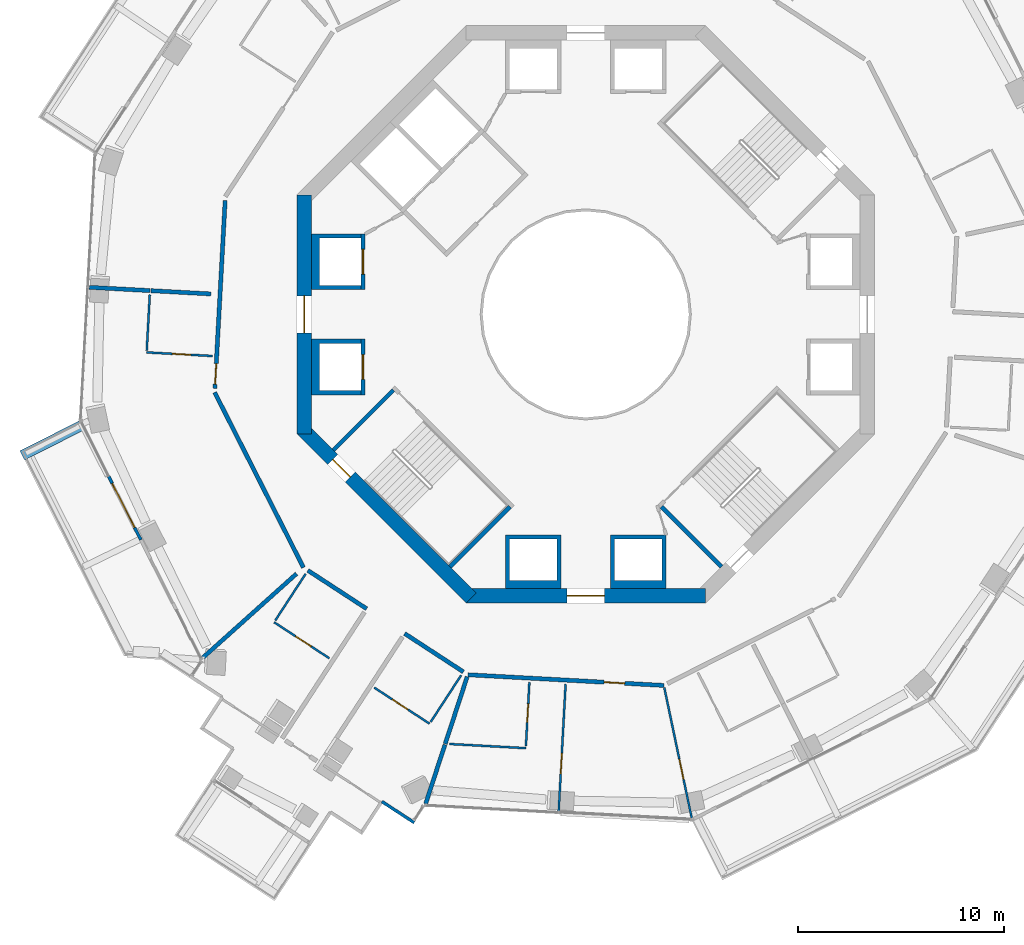
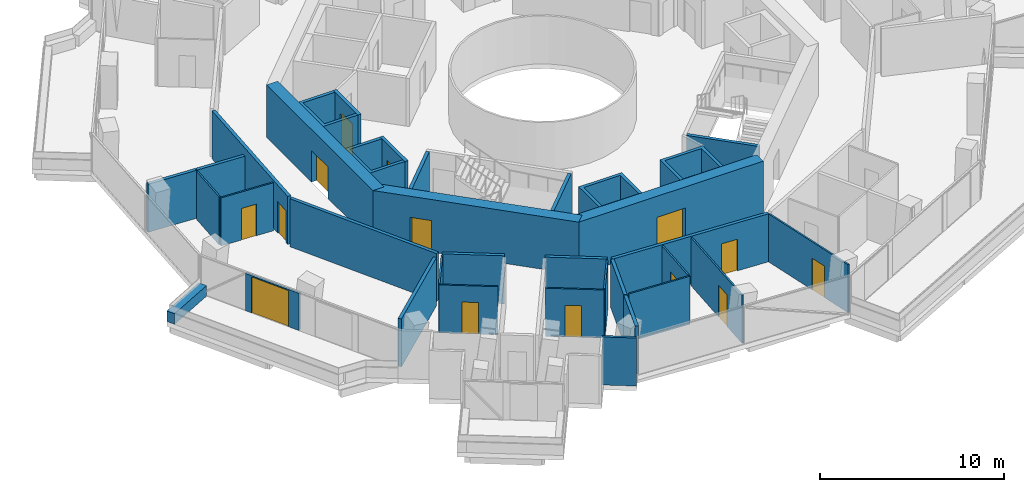
# One storey, part 16 of 23: 35 walls, 14 doors, 14 openings.
"""IFC4 building model written with IfcOpenShell, lengths in metres."""

from ifc_helpers import new_model, si_unit, direction, frame, frame_2d, origin, place, context, subcontext, project, spatial, polyline, rectangle, outline, extrude, material, layer, layer_set, type_object, element, fill, save


model = new_model("IFC4")

# Units and contexts
model_context = context("Model", 3, precision=1e-05, world=origin(), true_north=direction((0.0, 1.0)))
body_context = subcontext(model_context, "Body", "Model", "MODEL_VIEW")
ifc_project = project(units=[si_unit("LENGTHUNIT", "METRE"), si_unit("AREAUNIT", "SQUARE_METRE"), si_unit("VOLUMEUNIT", "CUBIC_METRE"), si_unit("PLANEANGLEUNIT", "RADIAN"), si_unit("MASSUNIT", "GRAM", prefix="KILO")], contexts=[model_context])

# Site, building, storey
site_placement = place(None, origin())
site = spatial("IfcSite", under=ifc_project, at=site_placement, CompositionType="ELEMENT")
building_placement = place(site_placement, origin())
building = spatial("IfcBuilding", under=site, at=building_placement, Name="Verdalira Terraces Hotel", CompositionType="ELEMENT")
storey_placement = place(building_placement, frame((0.0, 0.0, 143.5)))
storey = spatial("IfcBuildingStorey", under=building, at=storey_placement, Name="L34", CompositionType="ELEMENT", Elevation=143.5)

# Walls
ifc_material_1 = material(Name="Concrete C40", Category="concrete")
ifc_layer_1 = layer(ifc_material_1, 0.5)
ifc_layer_set_1 = layer_set([ifc_layer_1], Name="Balcony planter trough with tree")
wall_type_1 = type_object("IfcWallType", Name="Balcony planter trough with tree", PredefinedType="SOLIDWALL", material=ifc_layer_set_1)
wall_1_placement = place(storey_placement, frame((-24.464111, -5.393555, 0.0), z_axis=(0.0, 0.0, 1.0), x_axis=(-0.89195617, -0.452121875, 0.0)))
element("IfcWall", 1, at=wall_1_placement, inside=storey, type_object=wall_type_1, Name="Balcony planter", PredefinedType="SOLIDWALL", context=body_context, shape_type="SweptSolid", body=[
    extrude(rectangle(XDim=3.198975, YDim=0.5, at=frame_2d((1.599609, 0.0))), origin(), (0.0, 0.0, 1.0), 0.699951),
])
ifc_material_2 = material(Name="Moisture-resistant gypsum board partition")
ifc_layer_2 = layer(ifc_material_2, 0.10009765625)
ifc_layer_set_2 = layer_set([ifc_layer_2], Name="Bathroom partition 100 mm")
wall_type_2 = type_object("IfcWallType", Name="Bathroom partition 100 mm", PredefinedType="PARTITIONING", material=ifc_layer_set_2)
wall_2_placement = place(storey_placement, frame((-21.284912, -1.744141, 0.0), z_axis=(0.0, 0.0, 1.0), x_axis=(0.054433349, 0.998517406, 0.0)))
element("IfcWall", 2, at=wall_2_placement, inside=storey, type_object=wall_type_2, Name="Bathroom partition", PredefinedType="PARTITIONING", context=body_context, shape_type="SweptSolid", body=[
    extrude(rectangle(XDim=2.699951, YDim=0.100098, at=frame_2d((1.350098, 0.0))), origin(), (0.0, 0.0, 1.0), 3.189941),
])

# Wall, opening, door
wall_3_placement = place(storey_placement, frame((-21.290283, -1.843994, 0.0), z_axis=(0.0, 0.0, 1.0), x_axis=(0.998519402, -0.054396725, 0.0)))
wall_3 = element("IfcWall", 3, at=wall_3_placement, inside=storey, type_object=wall_type_2, Name="Bathroom partition", PredefinedType="PARTITIONING", context=body_context, shape_type="SweptSolid", body=[
    extrude(rectangle(XDim=3.199951, YDim=0.100098, at=frame_2d((1.600098, 0.0))), origin(), (0.0, 0.0, 1.0), 3.189941),
])
opening_1_placement = place(wall_3_placement, frame((1.25, 0.0, 0.0)))
opening_1 = element("IfcOpeningElement", 4, at=opening_1_placement, cuts=wall_3, Name="Opening L34-109", PredefinedType="OPENING", context=body_context, shape_type="SweptSolid", body=[
    extrude(rectangle(XDim=0.899902, YDim=2.100098, at=frame_2d((0.449951, 1.050049))), frame((0.0, 0.060059, 0.0), z_axis=(0.0, -1.0, 0.0), x_axis=(1.0, 0.0, 0.0)), (0.0, 0.0, 1.0), 0.120117),
])
ifc_material_3 = material(Name="Timber door", Category="wood")
door_type_1 = type_object("IfcDoorType", Name="Bathroom door 900 x 2100", OperationType="NOTDEFINED", PredefinedType="DOOR", material=ifc_material_3)
door_1_placement = place(opening_1_placement, origin())
door_1 = element("IfcDoor", 5, at=door_1_placement, inside=storey, type_object=door_type_1, Name="Bathroom door 3404", OperationType="SINGLE_SWING_LEFT", OverallHeight=2.10009765625, OverallWidth=0.89990234375, PredefinedType="DOOR", context=body_context, shape_type="SweptSolid", body=[
    extrude(rectangle(XDim=0.899902, YDim=2.100098, at=frame_2d((0.449951, 1.050049))), frame((0.0, 0.024902, 0.0), z_axis=(0.0, -1.0, 0.0), x_axis=(1.0, 0.0, 0.0)), (0.0, 0.0, 1.0), 0.050049),
])
fill(opening_1, door_1)

# Wall
wall_4_placement = place(storey_placement, frame((-13.581299, -12.581787, 0.0), z_axis=(0.0, 0.0, 1.0), x_axis=(-0.546325702, -0.837572819, 0.0)))
element("IfcWall", 6, at=wall_4_placement, inside=storey, type_object=wall_type_2, Name="Bathroom partition", PredefinedType="PARTITIONING", context=body_context, shape_type="SweptSolid", body=[
    extrude(rectangle(XDim=2.699951, YDim=0.100098, at=frame_2d((1.350098, 0.0))), origin(), (0.0, 0.0, 1.0), 3.189941),
])

# Wall, opening, door
wall_5_placement = place(storey_placement, frame((-15.111084, -14.927002, 0.0), z_axis=(0.0, 0.0, 1.0), x_axis=(0.837560506, -0.546344579, 0.0)))
wall_5 = element("IfcWall", 7, at=wall_5_placement, inside=storey, type_object=wall_type_2, Name="Bathroom partition", PredefinedType="PARTITIONING", context=body_context, shape_type="SweptSolid", body=[
    extrude(rectangle(XDim=3.199951, YDim=0.100098, at=frame_2d((1.600098, 0.0))), origin(), (0.0, 0.0, 1.0), 3.189941),
])
opening_2_placement = place(wall_5_placement, frame((1.25, 0.0, 0.0)))
opening_2 = element("IfcOpeningElement", 8, at=opening_2_placement, cuts=wall_5, Name="Opening L34-113", PredefinedType="OPENING", context=body_context, shape_type="SweptSolid", body=[
    extrude(rectangle(XDim=0.899902, YDim=2.100098, at=frame_2d((0.449951, 1.050049))), frame((0.0, 0.060059, 0.0), z_axis=(0.0, -1.0, 0.0), x_axis=(1.0, 0.0, 0.0)), (0.0, 0.0, 1.0), 0.120117),
])
door_2_placement = place(opening_2_placement, origin())
door_2 = element("IfcDoor", 9, at=door_2_placement, inside=storey, type_object=door_type_1, Name="Bathroom door 3405", OperationType="SINGLE_SWING_LEFT", OverallHeight=2.10009765625, OverallWidth=0.89990234375, PredefinedType="DOOR", context=body_context, shape_type="SweptSolid", body=[
    extrude(rectangle(XDim=0.899902, YDim=2.100098, at=frame_2d((0.449951, 1.050049))), frame((0.0, 0.024902, 0.0), z_axis=(0.0, -1.0, 0.0), x_axis=(1.0, 0.0, 0.0)), (0.0, 0.0, 1.0), 0.050049),
])
fill(opening_2, door_2)

wall_6_placement = place(storey_placement, frame((-10.253418, -18.095947, 0.0), z_axis=(0.0, 0.0, 1.0), x_axis=(0.837502815, -0.546433011, 0.0)))
wall_6 = element("IfcWall", 10, at=wall_6_placement, inside=storey, type_object=wall_type_2, Name="Bathroom partition", PredefinedType="PARTITIONING", context=body_context, shape_type="SweptSolid", body=[
    extrude(rectangle(XDim=3.199951, YDim=0.100098, at=frame_2d((1.600098, 0.0))), origin(), (0.0, 0.0, 1.0), 3.189941),
])
opening_3_placement = place(wall_6_placement, frame((1.050049, 0.0, 0.0)))
opening_3 = element("IfcOpeningElement", 11, at=opening_3_placement, cuts=wall_6, Name="Opening L34-114", PredefinedType="OPENING", context=body_context, shape_type="SweptSolid", body=[
    extrude(rectangle(XDim=0.899902, YDim=2.100098, at=frame_2d((0.449951, 1.050049))), frame((0.0, 0.060059, 0.0), z_axis=(0.0, -1.0, 0.0), x_axis=(1.0, 0.0, 0.0)), (0.0, 0.0, 1.0), 0.120117),
])
door_3_placement = place(opening_3_placement, origin())
door_3 = element("IfcDoor", 12, at=door_3_placement, inside=storey, type_object=door_type_1, Name="Bathroom door 3405", OperationType="SINGLE_SWING_RIGHT", OverallHeight=2.10009765625, OverallWidth=0.89990234375, PredefinedType="DOOR", context=body_context, shape_type="SweptSolid", body=[
    extrude(rectangle(XDim=0.899902, YDim=2.100098, at=frame_2d((0.449951, 1.050049))), frame((0.0, 0.024902, 0.0), z_axis=(0.0, -1.0, 0.0), x_axis=(1.0, 0.0, 0.0)), (0.0, 0.0, 1.0), 0.050049),
])
fill(opening_3, door_3)

# Walls
wall_7_placement = place(storey_placement, frame((-7.518799, -19.760742, 0.0), z_axis=(0.0, 0.0, 1.0), x_axis=(0.546430509, 0.837504447, 0.0)))
element("IfcWall", 13, at=wall_7_placement, inside=storey, type_object=wall_type_2, Name="Bathroom partition", PredefinedType="PARTITIONING", context=body_context, shape_type="SweptSolid", body=[
    extrude(rectangle(XDim=2.699951, YDim=0.100098, at=frame_2d((1.350098, 0.0))), origin(), (0.0, 0.0, 1.0), 3.189941),
])
wall_8_placement = place(storey_placement, frame((-6.605713, -20.82959, 0.0), z_axis=(0.0, 0.0, 1.0), x_axis=(0.998516816, -0.05444418, 0.0)))
element("IfcWall", 14, at=wall_8_placement, inside=storey, type_object=wall_type_2, Name="Bathroom partition", PredefinedType="PARTITIONING", context=body_context, shape_type="SweptSolid", body=[
    extrude(rectangle(XDim=3.704102, YDim=0.100098, at=frame_2d((1.852051, 0.0))), origin(), (0.0, 0.0, 1.0), 3.189941),
])

# Wall, opening, door
wall_9_placement = place(storey_placement, frame((-2.901855, -20.931396, 0.0), z_axis=(0.0, 0.0, 1.0), x_axis=(0.054418809, 0.998518199, 0.0)))
wall_9 = element("IfcWall", 15, at=wall_9_placement, inside=storey, type_object=wall_type_2, Name="Bathroom partition", PredefinedType="PARTITIONING", context=body_context, shape_type="SweptSolid", body=[
    extrude(rectangle(XDim=3.100098, YDim=0.100098, at=frame_2d((1.550049, 0.0))), origin(), (0.0, 0.0, 1.0), 3.189941),
])
opening_4_placement = place(wall_9_placement, frame((1.149902, 0.0, 0.0)))
opening_4 = element("IfcOpeningElement", 16, at=opening_4_placement, cuts=wall_9, Name="Opening L34-118", PredefinedType="OPENING", context=body_context, shape_type="SweptSolid", body=[
    extrude(rectangle(XDim=0.899902, YDim=2.100098, at=frame_2d((0.449951, 1.050049))), frame((0.0, 0.060059, 0.0), z_axis=(0.0, -1.0, 0.0), x_axis=(1.0, 0.0, 0.0)), (0.0, 0.0, 1.0), 0.120117),
])
door_4_placement = place(opening_4_placement, origin())
door_4 = element("IfcDoor", 17, at=door_4_placement, inside=storey, type_object=door_type_1, Name="Bathroom door 3406", OperationType="SINGLE_SWING_LEFT", OverallHeight=2.10009765625, OverallWidth=0.89990234375, PredefinedType="DOOR", context=body_context, shape_type="SweptSolid", body=[
    extrude(rectangle(XDim=0.899902, YDim=2.100098, at=frame_2d((0.449951, 1.050049))), frame((0.0, 0.024902, 0.0), z_axis=(0.0, -1.0, 0.0), x_axis=(1.0, 0.0, 0.0)), (0.0, 0.0, 1.0), 0.050049),
])
fill(opening_4, door_4)

wall_10_placement = place(storey_placement, frame((-1.312256, -24.07251, 0.0), z_axis=(0.0, 0.0, 1.0), x_axis=(0.054465213, 0.998515669, 0.0)))
wall_10 = element("IfcWall", 18, at=wall_10_placement, inside=storey, type_object=wall_type_2, Name="Bathroom partition", PredefinedType="PARTITIONING", context=body_context, shape_type="SweptSolid", body=[
    extrude(rectangle(XDim=6.149902, YDim=0.100098, at=frame_2d((3.074951, 0.0))), origin(), (0.0, 0.0, 1.0), 3.189941),
])
opening_5_placement = place(wall_10_placement, frame((1.800049, 0.0, 0.0)))
opening_5 = element("IfcOpeningElement", 19, at=opening_5_placement, cuts=wall_10, Name="Opening L34-116", PredefinedType="OPENING", context=body_context, shape_type="SweptSolid", body=[
    extrude(rectangle(XDim=1.0, YDim=2.100098, at=frame_2d((0.5, 1.050049))), frame((0.0, 0.060059, 0.0), z_axis=(0.0, -1.0, 0.0), x_axis=(1.0, 0.0, 0.0)), (0.0, 0.0, 1.0), 0.120117),
])
ifc_material_4 = material(Name="Timber door", Category="wood")
door_type_2 = type_object("IfcDoorType", Name="Suite internal door 1000 x 2100", OperationType="NOTDEFINED", PredefinedType="DOOR", material=ifc_material_4)
door_5_placement = place(opening_5_placement, origin())
door_5 = element("IfcDoor", 20, at=door_5_placement, inside=storey, type_object=door_type_2, Name="Suite internal door 3406", OperationType="SINGLE_SWING_LEFT", OverallHeight=2.10009765625, OverallWidth=1.0, PredefinedType="DOOR", context=body_context, shape_type="SweptSolid", body=[
    extrude(rectangle(XDim=1.0, YDim=2.100098, at=frame_2d((0.5, 1.050049))), frame((0.0, 0.024902, 0.0), z_axis=(0.0, -1.0, 0.0), x_axis=(1.0, 0.0, 0.0)), (0.0, 0.0, 1.0), 0.050049),
])
fill(opening_5, door_5)

wall_11_placement = place(storey_placement, frame((3.806152, -18.092285, 0.0), z_axis=(0.0, 0.0, 1.0), x_axis=(0.205843277, -0.978584971, 0.0)))
wall_11 = element("IfcWall", 21, at=wall_11_placement, inside=storey, type_object=wall_type_2, Name="Bathroom partition", PredefinedType="PARTITIONING", context=body_context, shape_type="SweptSolid", body=[
    extrude(rectangle(XDim=6.47583, YDim=0.100098, at=frame_2d((3.237793, 0.0))), origin(), (0.0, 0.0, 1.0), 3.189941),
])
opening_6_placement = place(wall_11_placement, frame((3.550049, 0.0, 0.0)))
opening_6 = element("IfcOpeningElement", 22, at=opening_6_placement, cuts=wall_11, Name="Opening L34-117", PredefinedType="OPENING", context=body_context, shape_type="SweptSolid", body=[
    extrude(rectangle(XDim=1.0, YDim=2.100098, at=frame_2d((0.5, 1.050049))), frame((0.0, 0.060059, 0.0), z_axis=(0.0, -1.0, 0.0), x_axis=(1.0, 0.0, 0.0)), (0.0, 0.0, 1.0), 0.120117),
])
door_6_placement = place(opening_6_placement, origin())
door_6 = element("IfcDoor", 23, at=door_6_placement, inside=storey, type_object=door_type_2, Name="Suite internal door 3406", OperationType="SINGLE_SWING_LEFT", OverallHeight=2.10009765625, OverallWidth=1.0, PredefinedType="DOOR", context=body_context, shape_type="SweptSolid", body=[
    extrude(rectangle(XDim=1.0, YDim=2.100098, at=frame_2d((0.5, 1.050049))), frame((0.0, 0.024902, 0.0), z_axis=(0.0, -1.0, 0.0), x_axis=(1.0, 0.0, 0.0)), (0.0, 0.0, 1.0), 0.050049),
])
fill(opening_6, door_6)

# Wall
ifc_material_5 = material(Name="Concrete C50", Category="concrete")
ifc_layer_3 = layer(ifc_material_5, 0.199951171875)
ifc_layer_set_3 = layer_set([ifc_layer_3], Name="Core RC wall 200 C50")
wall_type_3 = type_object("IfcWallType", Name="Core RC wall 200 C50", PredefinedType="SOLIDWALL", material=ifc_layer_set_3)
wall_12_placement = place(storey_placement, origin())
element("IfcWall", 24, at=wall_12_placement, inside=storey, type_object=wall_type_3, Name="L34 shaft wall W1", PredefinedType="SOLIDWALL", context=body_context, shape_type="SweptSolid", body=[
    extrude(outline(polyline([(-13.300049, 3.899902), (-10.899902, 3.899902), (-10.899902, 3.699951), (-12.899902, 3.699951), (-12.899902, 1.399902), (-10.899902, 1.399902), (-10.899902, 1.199951), (-13.300049, 1.199951), (-13.300049, 3.899902)])), origin(), (0.0, 0.0, 1.0), 3.189941),
])

# Wall, opening, door
wall_13_placement = place(storey_placement, frame((-10.800049, 1.199951, 0.0), z_axis=(0.0, 0.0, 1.0), x_axis=(0.0, 1.0, 0.0)))
wall_13 = element("IfcWall", 25, at=wall_13_placement, inside=storey, type_object=wall_type_3, Name="L34 shaft front wall W1", PredefinedType="SOLIDWALL", context=body_context, shape_type="SweptSolid", body=[
    extrude(rectangle(XDim=2.699951, YDim=0.199951, at=frame_2d((1.350098, 0.0))), origin(), (0.0, 0.0, 1.0), 3.189941),
])
opening_7_placement = place(wall_13_placement, frame((0.75, 0.0, 0.0)))
opening_7 = element("IfcOpeningElement", 26, at=opening_7_placement, cuts=wall_13, Name="Opening LD-L34-805", PredefinedType="OPENING", context=body_context, shape_type="SweptSolid", body=[
    extrude(rectangle(XDim=1.199951, YDim=2.100098, at=frame_2d((0.600098, 1.050049))), frame((0.0, 0.109863, 0.0), z_axis=(0.0, -1.0, 0.0), x_axis=(1.0, 0.0, 0.0)), (0.0, 0.0, 1.0), 0.219971),
])
ifc_material_6 = material(Name="Stainless steel", Category="steel")
door_type_3 = type_object("IfcDoorType", Name="Landing door 1200 x 2100", OperationType="NOTDEFINED", PredefinedType="DOOR", material=ifc_material_6)
door_7_placement = place(opening_7_placement, origin())
door_7 = element("IfcDoor", 27, at=door_7_placement, inside=storey, type_object=door_type_3, Name="Lift landing door LR5 L34", OperationType="DOUBLE_DOOR_SLIDING", OverallHeight=2.10009765625, OverallWidth=1.199951171875, PredefinedType="DOOR", context=body_context, shape_type="SweptSolid", body=[
    extrude(rectangle(XDim=1.199951, YDim=2.100098, at=frame_2d((0.600098, 1.050049))), frame((0.0, 0.024902, 0.0), z_axis=(0.0, -1.0, 0.0), x_axis=(1.0, 0.0, 0.0)), (0.0, 0.0, 1.0), 0.050049),
])
fill(opening_7, door_7)

# Wall
wall_14_placement = place(storey_placement, origin())
element("IfcWall", 28, at=wall_14_placement, inside=storey, type_object=wall_type_3, Name="L34 shaft wall W2", PredefinedType="SOLIDWALL", context=body_context, shape_type="SweptSolid", body=[
    extrude(outline(polyline([(-13.300049, -3.899902), (-13.300049, -1.199951), (-10.899902, -1.199951), (-10.899902, -1.399902), (-12.899902, -1.399902), (-12.899902, -3.699951), (-10.899902, -3.699951), (-10.899902, -3.899902), (-13.300049, -3.899902)])), origin(), (0.0, 0.0, 1.0), 3.189941),
])

# Wall, opening, door
wall_15_placement = place(storey_placement, frame((-10.800049, -1.199951, 0.0), z_axis=(0.0, 0.0, 1.0), x_axis=(0.0, -1.0, 0.0)))
wall_15 = element("IfcWall", 29, at=wall_15_placement, inside=storey, type_object=wall_type_3, Name="L34 shaft front wall W2", PredefinedType="SOLIDWALL", context=body_context, shape_type="SweptSolid", body=[
    extrude(rectangle(XDim=2.699951, YDim=0.199951, at=frame_2d((1.350098, 0.0))), origin(), (0.0, 0.0, 1.0), 3.189941),
])
opening_8_placement = place(wall_15_placement, frame((0.75, 0.0, 0.0)))
opening_8 = element("IfcOpeningElement", 30, at=opening_8_placement, cuts=wall_15, Name="Opening LD-L34-806", PredefinedType="OPENING", context=body_context, shape_type="SweptSolid", body=[
    extrude(rectangle(XDim=1.199951, YDim=2.100098, at=frame_2d((0.600098, 1.050049))), frame((0.0, 0.109863, 0.0), z_axis=(0.0, -1.0, 0.0), x_axis=(1.0, 0.0, 0.0)), (0.0, 0.0, 1.0), 0.219971),
])
door_8_placement = place(opening_8_placement, origin())
door_8 = element("IfcDoor", 31, at=door_8_placement, inside=storey, type_object=door_type_3, Name="Lift landing door LR6 L34", OperationType="DOUBLE_DOOR_SLIDING", OverallHeight=2.10009765625, OverallWidth=1.199951171875, PredefinedType="DOOR", context=body_context, shape_type="SweptSolid", body=[
    extrude(rectangle(XDim=1.199951, YDim=2.100098, at=frame_2d((0.600098, 1.050049))), frame((0.0, 0.024902, 0.0), z_axis=(0.0, -1.0, 0.0), x_axis=(1.0, 0.0, 0.0)), (0.0, 0.0, 1.0), 0.050049),
])
fill(opening_8, door_8)

# Walls
wall_16_placement = place(storey_placement, origin())
element("IfcWall", 32, at=wall_16_placement, inside=storey, type_object=wall_type_3, Name="L34 shaft wall S1", PredefinedType="SOLIDWALL", context=body_context, shape_type="SweptSolid", body=[
    extrude(outline(polyline([(-1.199951, -13.300049), (-3.899902, -13.300049), (-3.899902, -10.699951), (-1.199951, -10.699951), (-1.199951, -13.300049)]), holes=[polyline([(-3.699951, -10.899902), (-3.699951, -12.899902), (-1.399902, -12.899902), (-1.399902, -10.899902), (-3.699951, -10.899902)])]), origin(), (0.0, 0.0, 1.0), 3.189941),
])
wall_17_placement = place(storey_placement, origin())
element("IfcWall", 33, at=wall_17_placement, inside=storey, type_object=wall_type_3, Name="L34 shaft wall S2", PredefinedType="SOLIDWALL", context=body_context, shape_type="SweptSolid", body=[
    extrude(outline(polyline([(3.899902, -10.699951), (3.899902, -13.300049), (1.199951, -13.300049), (1.199951, -10.699951), (3.899902, -10.699951)]), holes=[polyline([(1.399902, -12.899902), (3.699951, -12.899902), (3.699951, -10.899902), (1.399902, -10.899902), (1.399902, -12.899902)])]), origin(), (0.0, 0.0, 1.0), 3.189941),
])
for number, where, z_axis, x_axis, name in (
    (34, (-9.33374, -3.677002, 0.0), (0.0, 0.0, 1.0), (-0.707106781, -0.707106781, 0.0), "L34 stair ST2 end wall 1"),
    (35, (-3.677002, -9.33374, 0.0), (0.0, 0.0, 1.0), (-0.707106781, -0.707106781, 0.0), "L34 stair ST2 end wall 2"),
    (36, (3.677002, -9.33374, 0.0), (0.0, 0.0, 1.0), (0.707106781, -0.707106781, 0.0), "L34 stair ST3 end wall 1"),
):
    element("IfcWall", number, at=place(storey_placement, frame(where, z_axis=z_axis, x_axis=x_axis)), inside=storey, type_object=wall_type_3, Name=name, PredefinedType="SOLIDWALL", context=body_context, shape_type="SweptSolid", body=[
        extrude(rectangle(XDim=4.100098, YDim=0.199951, at=frame_2d((2.050049, 0.0))), origin(), (0.0, 0.0, 1.0), 3.189941),
    ])

# Wall, opening, door
ifc_material_7 = material(Name="Concrete C60", Category="concrete")
ifc_layer_4 = layer(ifc_material_7, 0.699951171875)
ifc_layer_set_4 = layer_set([ifc_layer_4], Name="Core wall 700 C60")
wall_type_4 = type_object("IfcWallType", Name="Core wall 700 C60", PredefinedType="SHEAR", material=ifc_layer_set_4)
wall_18_placement = place(storey_placement, frame((-13.649902, 5.799072, 0.0), z_axis=(0.0, 0.0, 1.0), x_axis=(0.0, -1.0, 0.0)))
wall_18 = element("IfcWall", 37, at=wall_18_placement, inside=storey, type_object=wall_type_4, Name="Core wall CW-L34-5", PredefinedType="SHEAR", context=body_context, shape_type="SweptSolid", body=[
    extrude(rectangle(XDim=11.598145, YDim=0.699951, at=frame_2d((5.799072, 0.0))), origin(), (0.0, 0.0, 1.0), 3.5),
])
opening_9_placement = place(wall_18_placement, frame((4.898926, 0.0, 0.0)))
opening_9 = element("IfcOpeningElement", 38, at=opening_9_placement, cuts=wall_18, Name="Opening L34-814", PredefinedType="OPENING", context=body_context, shape_type="SweptSolid", body=[
    extrude(rectangle(XDim=1.800049, YDim=2.100098, at=frame_2d((0.899902, 1.050049))), frame((0.0, 0.359863, 0.0), z_axis=(0.0, -1.0, 0.0), x_axis=(1.0, 0.0, 0.0)), (0.0, 0.0, 1.0), 0.719971),
])
ifc_material_8 = material(Name="Steel fire door", Category="steel")
door_type_4 = type_object("IfcDoorType", Name="Core entry door pair 1800 x 2100", OperationType="NOTDEFINED", PredefinedType="DOOR", material=ifc_material_8)
door_9_placement = place(opening_9_placement, origin())
door_9 = element("IfcDoor", 39, at=door_9_placement, inside=storey, type_object=door_type_4, Name="Core entry door L34 4", OperationType="DOUBLE_DOOR_SINGLE_SWING", OverallHeight=2.10009765625, OverallWidth=1.800048828125, PredefinedType="DOOR", context=body_context, shape_type="SweptSolid", body=[
    extrude(rectangle(XDim=1.800049, YDim=2.100098, at=frame_2d((0.899902, 1.050049))), frame((0.0, 0.024902, 0.0), z_axis=(0.0, -1.0, 0.0), x_axis=(1.0, 0.0, 0.0)), (0.0, 0.0, 1.0), 0.050049),
])
fill(opening_9, door_9)

wall_19_placement = place(storey_placement, frame((-13.752441, -5.551514, 0.0), z_axis=(0.0, 0.0, 1.0), x_axis=(0.707106781, -0.707106781, 0.0)))
wall_19 = element("IfcWall", 40, at=wall_19_placement, inside=storey, type_object=wall_type_4, Name="Core wall CW-L34-6", PredefinedType="SHEAR", context=body_context, shape_type="SweptSolid", body=[
    extrude(rectangle(XDim=11.5979, YDim=0.699951, at=frame_2d((5.798828, 0.0))), origin(), (0.0, 0.0, 1.0), 3.5),
])
opening_10_placement = place(wall_19_placement, frame((2.099121, 0.0, 0.0)))
opening_10 = element("IfcOpeningElement", 41, at=opening_10_placement, cuts=wall_19, Name="Opening L34-817", PredefinedType="OPENING", context=body_context, shape_type="SweptSolid", body=[
    extrude(rectangle(XDim=1.199951, YDim=2.100098, at=frame_2d((0.600098, 1.050049))), frame((0.0, 0.359863, 0.0), z_axis=(0.0, -1.0, 0.0), x_axis=(1.0, 0.0, 0.0)), (0.0, 0.0, 1.0), 0.719971),
])
ifc_material_9 = material(Name="Steel fire door", Category="steel")
door_type_5 = type_object("IfcDoorType", Name="Stair door 1200 x 2100", OperationType="NOTDEFINED", PredefinedType="DOOR", material=ifc_material_9)
door_10_placement = place(opening_10_placement, origin())
door_10 = element("IfcDoor", 42, at=door_10_placement, inside=storey, type_object=door_type_5, Name="Stair exit door ST2 L34", OperationType="SINGLE_SWING_LEFT", OverallHeight=2.10009765625, OverallWidth=1.199951171875, PredefinedType="DOOR", context=body_context, shape_type="SweptSolid", body=[
    extrude(rectangle(XDim=1.199951, YDim=2.100098, at=frame_2d((0.600098, 1.050049))), frame((0.0, 0.024902, 0.0), z_axis=(0.0, -1.0, 0.0), x_axis=(1.0, 0.0, 0.0)), (0.0, 0.0, 1.0), 0.050049),
])
fill(opening_10, door_10)

wall_20_placement = place(storey_placement, frame((-5.799072, -13.649902, 0.0), z_axis=(0.0, 0.0, 1.0), x_axis=(1.0, 0.0, 0.0)))
wall_20 = element("IfcWall", 43, at=wall_20_placement, inside=storey, type_object=wall_type_4, Name="Core wall CW-L34-7", PredefinedType="SHEAR", context=body_context, shape_type="SweptSolid", body=[
    extrude(rectangle(XDim=11.598145, YDim=0.699951, at=frame_2d((5.799072, 0.0))), origin(), (0.0, 0.0, 1.0), 3.5),
])
opening_11_placement = place(wall_20_placement, frame((4.898926, 0.0, 0.0)))
opening_11 = element("IfcOpeningElement", 44, at=opening_11_placement, cuts=wall_20, Name="Opening L34-815", PredefinedType="OPENING", context=body_context, shape_type="SweptSolid", body=[
    extrude(rectangle(XDim=1.800049, YDim=2.100098, at=frame_2d((0.899902, 1.050049))), frame((0.0, 0.359863, 0.0), z_axis=(0.0, -1.0, 0.0), x_axis=(1.0, 0.0, 0.0)), (0.0, 0.0, 1.0), 0.719971),
])
door_11_placement = place(opening_11_placement, origin())
door_11 = element("IfcDoor", 45, at=door_11_placement, inside=storey, type_object=door_type_4, Name="Core entry door L34 6", OperationType="DOUBLE_DOOR_SINGLE_SWING", OverallHeight=2.10009765625, OverallWidth=1.800048828125, PredefinedType="DOOR", context=body_context, shape_type="SweptSolid", body=[
    extrude(rectangle(XDim=1.800049, YDim=2.100098, at=frame_2d((0.899902, 1.050049))), frame((0.0, 0.024902, 0.0), z_axis=(0.0, -1.0, 0.0), x_axis=(1.0, 0.0, 0.0)), (0.0, 0.0, 1.0), 0.050049),
])
fill(opening_11, door_11)

# Walls
ifc_material_10 = material(Name="Fire-rated gypsum board wall")
ifc_layer_5 = layer(ifc_material_10, 0.199951171875)
ifc_layer_set_5 = layer_set([ifc_layer_5], Name="Demising wall 200 mm")
wall_type_5 = type_object("IfcWallType", Name="Demising wall 200 mm", PredefinedType="SOLIDWALL", material=ifc_layer_set_5)
wall_21_placement = place(storey_placement, frame((-21.125, 1.151611, 0.0), z_axis=(0.0, 0.0, 1.0), x_axis=(-0.998518079, 0.054421013, 0.0)))
element("IfcWall", 46, at=wall_21_placement, inside=storey, type_object=wall_type_5, Name="Demising wall", PredefinedType="SOLIDWALL", context=body_context, shape_type="SweptSolid", body=[
    extrude(rectangle(XDim=2.951904, YDim=0.199951, at=frame_2d((1.476074, 0.0))), origin(), (0.0, 0.0, 1.0), 3.189941),
])
wall_22_placement = place(storey_placement, frame((-18.178711, 0.990967, 0.0), z_axis=(0.0, 0.0, 1.0), x_axis=(-0.998520275, 0.054380692, 0.0)))
element("IfcWall", 47, at=wall_22_placement, inside=storey, type_object=wall_type_5, Name="Demising wall", PredefinedType="SOLIDWALL", context=body_context, shape_type="SweptSolid", body=[
    extrude(rectangle(XDim=2.904785, YDim=0.199951, at=frame_2d((1.452393, 0.0))), origin(), (0.0, 0.0, 1.0), 3.189941),
])
wall_23_placement = place(storey_placement, frame((-14.02124, -12.571777, 0.0), z_axis=(0.0, 0.0, 1.0), x_axis=(-0.74455784, -0.667557954, 0.0)))
element("IfcWall", 48, at=wall_23_placement, inside=storey, type_object=wall_type_5, Name="Demising wall", PredefinedType="SOLIDWALL", context=body_context, shape_type="SweptSolid", body=[
    extrude(rectangle(XDim=6.13208, YDim=0.199951, at=frame_2d((3.065918, 0.0))), origin(), (0.0, 0.0, 1.0), 3.189941),
])
wall_24_placement = place(storey_placement, frame((-6.827393, -20.864014, 0.0), z_axis=(0.0, 0.0, 1.0), x_axis=(-0.310993791, -0.950411943, 0.0)))
element("IfcWall", 49, at=wall_24_placement, inside=storey, type_object=wall_type_5, Name="Demising wall", PredefinedType="SOLIDWALL", context=body_context, shape_type="SweptSolid", body=[
    extrude(rectangle(XDim=3.011475, YDim=0.199951, at=frame_2d((1.505859, 0.0))), origin(), (0.0, 0.0, 1.0), 3.189941),
])
wall_25_placement = place(storey_placement, frame((-5.75, -17.571289, 0.0), z_axis=(0.0, 0.0, 1.0), x_axis=(-0.311016776, -0.950404422, 0.0)))
element("IfcWall", 50, at=wall_25_placement, inside=storey, type_object=wall_type_5, Name="Demising wall", PredefinedType="SOLIDWALL", context=body_context, shape_type="SweptSolid", body=[
    extrude(rectangle(XDim=3.418457, YDim=0.199951, at=frame_2d((1.709229, 0.0))), origin(), (0.0, 0.0, 1.0), 3.189941),
])

# Wall, opening, door
ifc_material_11 = material(Name="Fire-rated gypsum board wall")
ifc_layer_6 = layer(ifc_material_11, 0.199951171875)
ifc_layer_set_6 = layer_set([ifc_layer_6], Name="Guest corridor wall 200 mm")
wall_type_6 = type_object("IfcWallType", Name="Guest corridor wall 200 mm", PredefinedType="SOLIDWALL", material=ifc_layer_set_6)
wall_26_placement = place(storey_placement, frame((-17.97998, -3.584473, 0.0), z_axis=(0.0, 0.0, 1.0), x_axis=(0.054422739, 0.998517985, 0.0)))
wall_26 = element("IfcWall", 51, at=wall_26_placement, inside=storey, type_object=wall_type_6, Name="Guest corridor wall", PredefinedType="SOLIDWALL", context=body_context, shape_type="SweptSolid", body=[
    extrude(rectangle(XDim=9.115479, YDim=0.199951, at=frame_2d((4.557617, 0.0))), origin(), (0.0, 0.0, 1.0), 3.189941),
])
opening_12_placement = place(wall_26_placement, frame((0.199951, 0.0, 0.0)))
opening_12 = element("IfcOpeningElement", 52, at=opening_12_placement, cuts=wall_26, Name="Opening L34-108", PredefinedType="OPENING", context=body_context, shape_type="SweptSolid", body=[
    extrude(rectangle(XDim=1.0, YDim=2.100098, at=frame_2d((0.5, 1.050049))), frame((0.0, 0.109863, 0.0), z_axis=(0.0, -1.0, 0.0), x_axis=(1.0, 0.0, 0.0)), (0.0, 0.0, 1.0), 0.219971),
])
ifc_material_12 = material(Name="Timber fire door", Category="wood")
door_type_6 = type_object("IfcDoorType", Name="Guest entry door 1000 x 2100", OperationType="NOTDEFINED", PredefinedType="DOOR", material=ifc_material_12)
door_12_placement = place(opening_12_placement, origin())
door_12 = element("IfcDoor", 53, at=door_12_placement, inside=storey, type_object=door_type_6, Name="Guest entry door 3404", OperationType="SINGLE_SWING_LEFT", OverallHeight=2.10009765625, OverallWidth=1.0, PredefinedType="DOOR", context=body_context, shape_type="SweptSolid", body=[
    extrude(rectangle(XDim=1.0, YDim=2.100098, at=frame_2d((0.5, 1.050049))), frame((0.0, 0.024902, 0.0), z_axis=(0.0, -1.0, 0.0), x_axis=(1.0, 0.0, 0.0)), (0.0, 0.0, 1.0), 0.050049),
])
fill(opening_12, door_12)

# Walls
wall_27_placement = place(storey_placement, frame((-17.990723, -3.785156, 0.0), z_axis=(0.0, 0.0, 1.0), x_axis=(0.452122387, -0.891955911, 0.0)))
element("IfcWall", 54, at=wall_27_placement, inside=storey, type_object=wall_type_6, Name="Guest corridor wall", PredefinedType="SOLIDWALL", context=body_context, shape_type="SweptSolid", body=[
    extrude(rectangle(XDim=9.516113, YDim=0.199951, at=frame_2d((4.758057, 0.0))), origin(), (0.0, 0.0, 1.0), 3.189941),
])
wall_28_placement = place(storey_placement, frame((-13.471924, -12.414307, 0.0), z_axis=(0.0, 0.0, 1.0), x_axis=(0.837510592, -0.546421091, 0.0)))
element("IfcWall", 55, at=wall_28_placement, inside=storey, type_object=wall_type_6, Name="Guest corridor wall", PredefinedType="SOLIDWALL", context=body_context, shape_type="SweptSolid", body=[
    extrude(rectangle(XDim=3.400146, YDim=0.199951, at=frame_2d((1.700195, 0.0))), origin(), (0.0, 0.0, 1.0), 3.189941),
])
wall_29_placement = place(storey_placement, frame((-8.781738, -15.474121, 0.0), z_axis=(0.0, 0.0, 1.0), x_axis=(0.837543451, -0.546370724, 0.0)))
element("IfcWall", 56, at=wall_29_placement, inside=storey, type_object=wall_type_6, Name="Guest corridor wall", PredefinedType="SOLIDWALL", context=body_context, shape_type="SweptSolid", body=[
    extrude(rectangle(XDim=3.399902, YDim=0.199951, at=frame_2d((1.699951, 0.0))), origin(), (0.0, 0.0, 1.0), 3.189941),
])

# Wall, opening, door
wall_30_placement = place(storey_placement, frame((3.784668, -17.990967, 0.0), z_axis=(0.0, 0.0, 1.0), x_axis=(-0.998517128, 0.05443845, 0.0)))
wall_30 = element("IfcWall", 57, at=wall_30_placement, inside=storey, type_object=wall_type_6, Name="Guest corridor wall", PredefinedType="SOLIDWALL", context=body_context, shape_type="SweptSolid", body=[
    extrude(rectangle(XDim=9.516602, YDim=0.199951, at=frame_2d((4.758301, 0.0))), origin(), (0.0, 0.0, 1.0), 3.189941),
])
opening_13_placement = place(wall_30_placement, frame((1.899902, 0.0, 0.0)))
opening_13 = element("IfcOpeningElement", 58, at=opening_13_placement, cuts=wall_30, Name="Opening L34-115", PredefinedType="OPENING", context=body_context, shape_type="SweptSolid", body=[
    extrude(rectangle(XDim=1.0, YDim=2.100098, at=frame_2d((0.5, 1.050049))), frame((0.0, 0.109863, 0.0), z_axis=(0.0, -1.0, 0.0), x_axis=(1.0, 0.0, 0.0)), (0.0, 0.0, 1.0), 0.219971),
])
door_13_placement = place(opening_13_placement, origin())
door_13 = element("IfcDoor", 59, at=door_13_placement, inside=storey, type_object=door_type_6, Name="Guest entry door 3406", OperationType="SINGLE_SWING_LEFT", OverallHeight=2.10009765625, OverallWidth=1.0, PredefinedType="DOOR", context=body_context, shape_type="SweptSolid", body=[
    extrude(rectangle(XDim=1.0, YDim=2.100098, at=frame_2d((0.5, 1.050049))), frame((0.0, 0.024902, 0.0), z_axis=(0.0, -1.0, 0.0), x_axis=(1.0, 0.0, 0.0)), (0.0, 0.0, 1.0), 0.050049),
])
fill(opening_13, door_13)

# Wall
ifc_material_13 = material(Name="Terracotta cladding", Category="masonry")
ifc_layer_7 = layer(ifc_material_13, 0.14990234375)
ifc_layer_set_7 = layer_set([ifc_layer_7], Name="Terracotta clad wall 150")
wall_type_7 = type_object("IfcWallType", Name="Terracotta clad wall 150", PredefinedType="SOLIDWALL", material=ifc_layer_set_7)
wall_31_placement = place(storey_placement, frame((-9.886475, -23.618896, 0.0), z_axis=(0.0, 0.0, 1.0), x_axis=(0.837538056, -0.546378993, 0.0)))
element("IfcWall", 60, at=wall_31_placement, inside=storey, type_object=wall_type_7, Name="Terracotta cladding wall", PredefinedType="SOLIDWALL", context=body_context, shape_type="SweptSolid", body=[
    extrude(rectangle(XDim=1.875, YDim=0.149902, at=frame_2d((0.9375, 0.0))), origin(), (0.0, 0.0, 1.0), 3.189941),
])

# Wall, opening, door
ifc_material_14 = material(Name="Terracotta cladding", Category="masonry")
ifc_layer_8 = layer(ifc_material_14, 0.14990234375)
ifc_layer_set_8 = layer_set([ifc_layer_8], Name="Terracotta door pier 150")
wall_type_8 = type_object("IfcWallType", Name="Terracotta door pier 150", PredefinedType="SOLIDWALL", material=ifc_layer_set_8)
wall_32_placement = place(storey_placement, frame((-23.141602, -7.834229, 0.0), z_axis=(0.0, 0.0, 1.0), x_axis=(0.452096723, -0.891968919, 0.0)))
wall_32 = element("IfcWall", 61, at=wall_32_placement, inside=storey, type_object=wall_type_8, Name="Terracotta door pier", PredefinedType="SOLIDWALL", context=body_context, shape_type="SweptSolid", body=[
    extrude(rectangle(XDim=3.475098, YDim=0.149902, at=frame_2d((1.737549, 0.0))), origin(), (0.0, 0.0, 1.0), 2.475098),
])
opening_14_placement = place(wall_32_placement, frame((0.399902, 0.0, 0.0)))
opening_14 = element("IfcOpeningElement", 62, at=opening_14_placement, cuts=wall_32, Name="Opening L34-B04", PredefinedType="OPENING", context=body_context, shape_type="SweptSolid", body=[
    extrude(rectangle(XDim=2.399902, YDim=2.399902, at=frame_2d((1.199951, 1.199951))), frame((0.0, 0.084961, 0.0), z_axis=(0.0, -1.0, 0.0), x_axis=(1.0, 0.0, 0.0)), (0.0, 0.0, 1.0), 0.169922),
])
ifc_material_15 = material(Name="Clear glass", Category="glass")
door_type_7 = type_object("IfcDoorType", Name="Balcony sliding door 2400x2400", OperationType="NOTDEFINED", PredefinedType="DOOR", material=ifc_material_15)
door_14_placement = place(opening_14_placement, origin())
door_14 = element("IfcDoor", 63, at=door_14_placement, inside=storey, type_object=door_type_7, Name="Balcony sliding door", OperationType="SLIDING_TO_RIGHT", OverallHeight=2.39990234375, OverallWidth=2.39990234375, PredefinedType="DOOR", context=body_context, shape_type="SweptSolid", body=[
    extrude(rectangle(XDim=2.399902, YDim=2.399902, at=frame_2d((1.199951, 1.199951))), frame((0.0, 0.024902, 0.0), z_axis=(0.0, -1.0, 0.0), x_axis=(1.0, 0.0, 0.0)), (0.0, 0.0, 1.0), 0.050049),
])
fill(opening_14, door_14)

save(model, "model.ifc")
